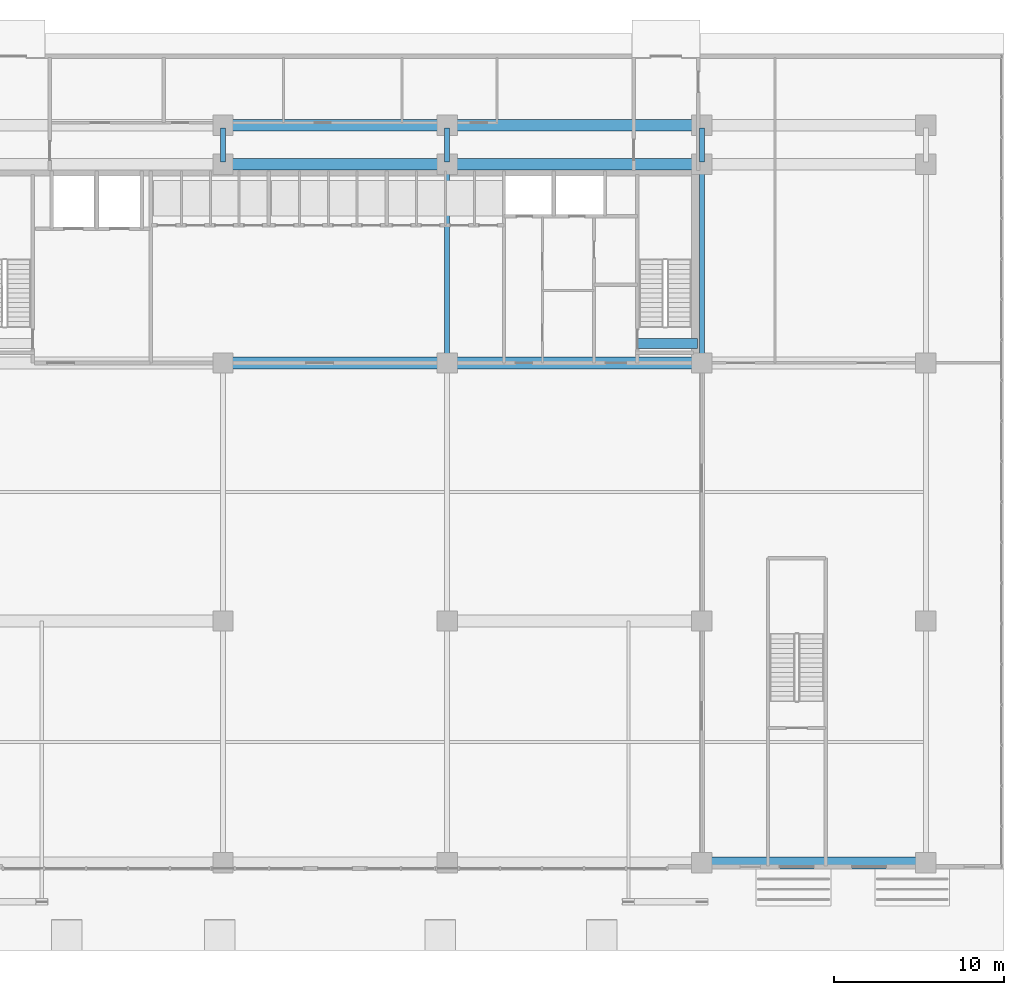
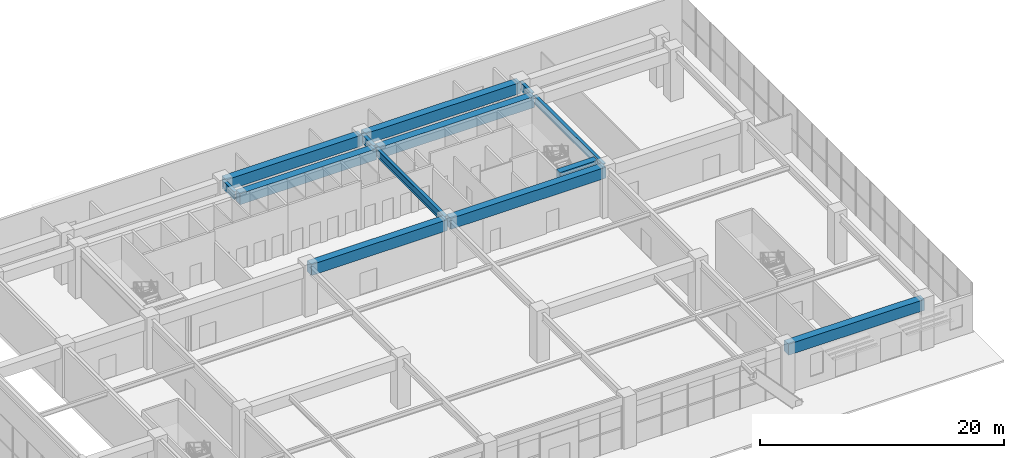
# One storey, part 19 of 40: 13 beams.
"""IFC4 building model written with IfcOpenShell, lengths in metres."""

from ifc_helpers import new_model, si_unit, direction, frame, origin, origin_2d, place, context, subcontext, project, spatial, rectangle, i_section, extrude, source, transform, mapped, material, material_profile, profile_set, type_object, element, save


model = new_model("IFC4")

# Units and contexts
model_context = context("Model", 3, precision=1e-05, world=origin(), true_north=direction((0.0, 1.0)))
body_context = subcontext(model_context, "Body", "Model", "MODEL_VIEW")
ifc_project = project(units=[si_unit("LENGTHUNIT", "METRE"), si_unit("AREAUNIT", "SQUARE_METRE"), si_unit("VOLUMEUNIT", "CUBIC_METRE"), si_unit("PLANEANGLEUNIT", "RADIAN"), si_unit("MASSUNIT", "GRAM", prefix="KILO")], contexts=[model_context])

# Site, building, storey
site_placement = place(None, origin())
site = spatial("IfcSite", under=ifc_project, at=site_placement, CompositionType="ELEMENT")
building_placement = place(site_placement, origin())
building = spatial("IfcBuilding", under=site, at=building_placement, Name="Trelvane Seafront Commons", CompositionType="ELEMENT")
storey_placement = place(building_placement, origin())
storey = spatial("IfcBuildingStorey", under=building, at=storey_placement, Name="L00", CompositionType="ELEMENT", Elevation=0.0)

# Beams
ifc_material_1 = material(Name="Concrete C60/75", Category="concrete")
ifc_material_profile_1 = material_profile(ifc_material_1, rectangle(XDim=0.60009765625, YDim=0.89990234375, at=origin_2d()), Name="RC-600x900")
ifc_profile_set_1 = profile_set([ifc_material_profile_1], Name="Concrete C60/75")
beam_type_1 = type_object("IfcBeamType", Name="STR-LNT-RC600x900", PredefinedType="LINTEL", material=ifc_profile_set_1)
shared_shape_1 = source(origin(), body_context, "Body", "SweptSolid", [
    extrude(rectangle(XDim=0.60009765625, YDim=0.89990234375, at=origin_2d()), origin(), (0.0, 0.0, 1.0), 3.550048828125),
])
beam_1_placement = place(storey_placement, frame((55.0, 34.550048828125, 4.429931640625), z_axis=(1.0, 0.0, 0.0), x_axis=(0.0, 1.0, 0.0)))
element("IfcBeam", 1, at=beam_1_placement, inside=storey, type_object=beam_type_1, Name="L00 Core Coupling Lintel Beam CB-72", PredefinedType="LINTEL", context=body_context, shape_type="MappedRepresentation", body=[
    mapped(shared_shape_1, transform((0.0, 0.0, 0.0), x_axis=(1.0, 0.0, 0.0), y_axis=(0.0, 1.0, 0.0), z_axis=(0.0, 0.0, 1.0), scale=1.0)),
])
ifc_material_2 = material(Name="Concrete C50/60", Category="concrete")
ifc_material_profile_2 = material_profile(ifc_material_2, rectangle(XDim=0.699951171875, YDim=1.10009765625, at=origin_2d()), Name="RC-700x1100")
ifc_profile_set_2 = profile_set([ifc_material_profile_2], Name="Concrete C50/60")
beam_type_2 = type_object("IfcBeamType", Name="STR-TBM-RC700x1100", PredefinedType="T_BEAM", material=ifc_profile_set_2)
shared_shape_2 = source(origin(), body_context, "Body", "SweptSolid", [
    extrude(rectangle(XDim=0.699951171875, YDim=1.10009765625, at=origin_2d()), origin(), (0.0, 0.0, 1.0), 14.699951171875),
])
for number, where, z_axis, x_axis, name in (
    (2, (43.949951171875, 33.39990234375, 4.330078125), (1.0, 0.0, 0.0), (0.0, 1.0, 0.0), "L00 Primary Girder G-17"),
    (3, (43.949951171875, 45.10009765625, 4.330078125), (1.0, 0.0, 0.0), (0.0, 1.0, 0.0), "L00 Primary Girder G-23"),
    (4, (43.949951171875, 47.39990234375, 4.330078125), (1.0, 0.0, 0.0), (0.0, 1.0, 0.0), "L00 Primary Girder G-29"),
):
    element("IfcBeam", number, at=place(storey_placement, frame(where, z_axis=z_axis, x_axis=x_axis)), inside=storey, type_object=beam_type_2, Name=name, PredefinedType="T_BEAM", context=body_context, shape_type="MappedRepresentation", body=[
        mapped(shared_shape_2, transform((0.0, 0.0, 0.0), x_axis=(1.0, 0.0, 0.0), y_axis=(0.0, 1.0, 0.0), z_axis=(0.0, 0.0, 1.0), scale=1.0)),
    ])
shared_shape_3 = source(origin(), body_context, "Body", "SweptSolid", [
    extrude(rectangle(XDim=0.699951171875, YDim=1.10009765625, at=origin_2d()), origin(), (0.0, 0.0, 1.0), 12.89990234375),
])
for number, where, z_axis, x_axis, name in (
    (5, (30.75, 33.39990234375, 4.330078125), (1.0, 0.0, 0.0), (0.0, 1.0, 0.0), "L00 Primary Girder G-16"),
    (6, (30.75, 45.10009765625, 4.330078125), (1.0, 0.0, 0.0), (0.0, 1.0, 0.0), "L00 Primary Girder G-22"),
    (7, (30.75, 47.39990234375, 4.330078125), (1.0, 0.0, 0.0), (0.0, 1.0, 0.0), "L00 Primary Girder G-28"),
):
    element("IfcBeam", number, at=place(storey_placement, frame(where, z_axis=z_axis, x_axis=x_axis)), inside=storey, type_object=beam_type_2, Name=name, PredefinedType="T_BEAM", context=body_context, shape_type="MappedRepresentation", body=[
        mapped(shared_shape_3, transform((0.0, 0.0, 0.0), x_axis=(1.0, 0.0, 0.0), y_axis=(0.0, 1.0, 0.0), z_axis=(0.0, 0.0, 1.0), scale=1.0)),
    ])
shared_shape_4 = source(origin(), body_context, "Body", "SweptSolid", [
    extrude(rectangle(XDim=0.699951171875, YDim=1.10009765625, at=origin_2d()), origin(), (0.0, 0.0, 1.0), 12.900146484375),
])
beam_2_placement = place(storey_placement, frame((58.949951171875, 3.949951171875, 4.330078125), z_axis=(1.0, 0.0, 0.0), x_axis=(0.0, 1.0, 0.0)))
element("IfcBeam", 8, at=beam_2_placement, inside=storey, type_object=beam_type_2, Name="L00 Primary Girder G-06", PredefinedType="T_BEAM", context=body_context, shape_type="MappedRepresentation", body=[
    mapped(shared_shape_4, transform((0.0, 0.0, 0.0), x_axis=(1.0, 0.0, 0.0), y_axis=(0.0, 1.0, 0.0), z_axis=(0.0, 0.0, 1.0), scale=1.0)),
])
ifc_material_3 = material(Name="Steel SM355 (S355)", Category="steel")
ifc_material_profile_3 = material_profile(ifc_material_3, i_section(OverallWidth=0.300048828125, OverallDepth=0.800048828125, WebThickness=0.013916015625, FlangeThickness=0.02587890625, at=origin_2d()), Name="H-800x300x14x26")
ifc_profile_set_3 = profile_set([ifc_material_profile_3], Name="Steel SM355 (S355)")
beam_type_3 = type_object("IfcBeamType", Name="STR-BM-H800", PredefinedType="BEAM", material=ifc_profile_set_3)
shared_shape_5 = source(origin(), body_context, "Body", "SweptSolid", [
    extrude(i_section(OverallWidth=0.300048828125, OverallDepth=0.800048828125, WebThickness=0.013916015625, FlangeThickness=0.02587890625, at=origin_2d()), origin(), (0.0, 0.0, 1.0), 11.39990234375),
])
for number, where, z_axis, x_axis, name in (
    (9, (43.800048828125, 33.550048828125, 4.47998046875), (0.0, 1.0, 0.0), (-1.0, 0.0, 0.0), "L00 Primary Girder G-49"),
    (10, (58.800048828125, 33.550048828125, 4.47998046875), (0.0, 1.0, 0.0), (-1.0, 0.0, 0.0), "L00 Primary Girder G-53"),
):
    element("IfcBeam", number, at=place(storey_placement, frame(where, z_axis=z_axis, x_axis=x_axis)), inside=storey, type_object=beam_type_3, Name=name, PredefinedType="BEAM", context=body_context, shape_type="MappedRepresentation", body=[
        mapped(shared_shape_5, transform((0.0, 0.0, 0.0), x_axis=(1.0, 0.0, 0.0), y_axis=(0.0, 1.0, 0.0), z_axis=(0.0, 0.0, 1.0), scale=1.0)),
    ])
shared_shape_6 = source(origin(), body_context, "Body", "SweptSolid", [
    extrude(i_section(OverallWidth=0.300048828125, OverallDepth=0.800048828125, WebThickness=0.013916015625, FlangeThickness=0.02587890625, at=origin_2d()), origin(), (0.0, 0.0, 1.0), 2.0),
])
for number, where, z_axis, x_axis, name in (
    (11, (30.60009765625, 45.25, 4.47998046875), (0.0, 1.0, 0.0), (-1.0, 0.0, 0.0), "L00 Primary Girder G-46"),
    (12, (43.800048828125, 45.25, 4.47998046875), (0.0, 1.0, 0.0), (-1.0, 0.0, 0.0), "L00 Primary Girder G-50"),
    (13, (58.800048828125, 45.25, 4.47998046875), (0.0, 1.0, 0.0), (-1.0, 0.0, 0.0), "L00 Primary Girder G-54"),
):
    element("IfcBeam", number, at=place(storey_placement, frame(where, z_axis=z_axis, x_axis=x_axis)), inside=storey, type_object=beam_type_3, Name=name, PredefinedType="BEAM", context=body_context, shape_type="MappedRepresentation", body=[
        mapped(shared_shape_6, transform((0.0, 0.0, 0.0), x_axis=(1.0, 0.0, 0.0), y_axis=(0.0, 1.0, 0.0), z_axis=(0.0, 0.0, 1.0), scale=1.0)),
    ])

save(model, "model.ifc")
